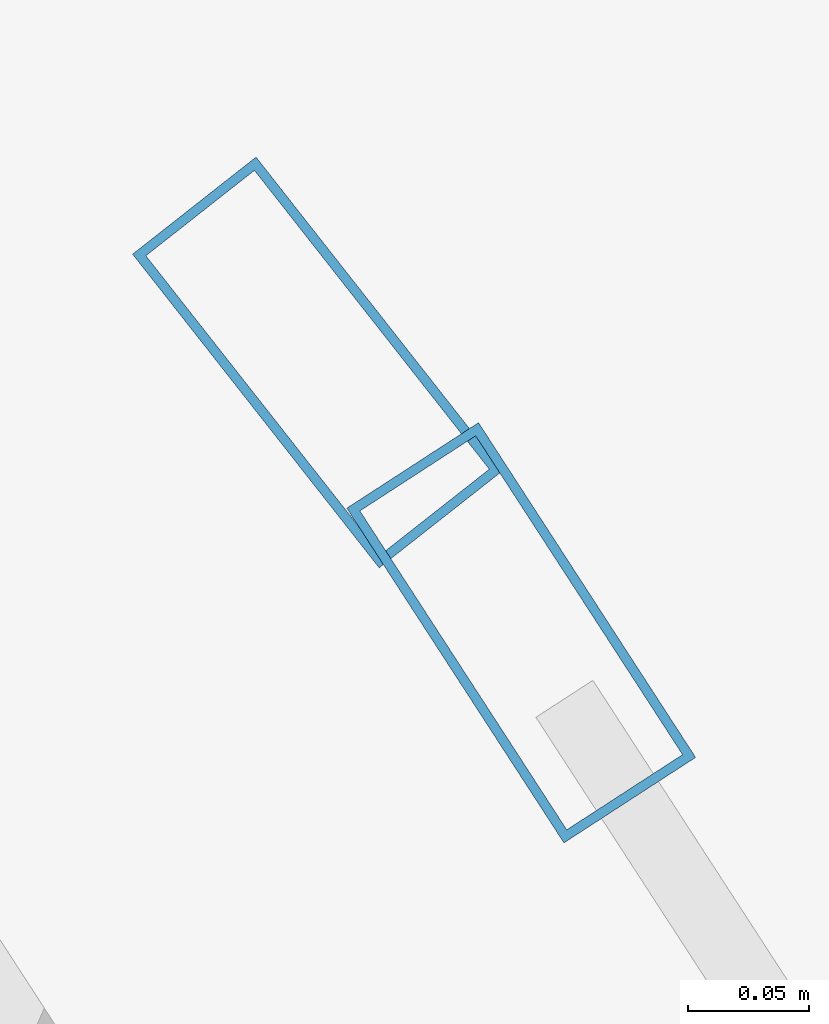
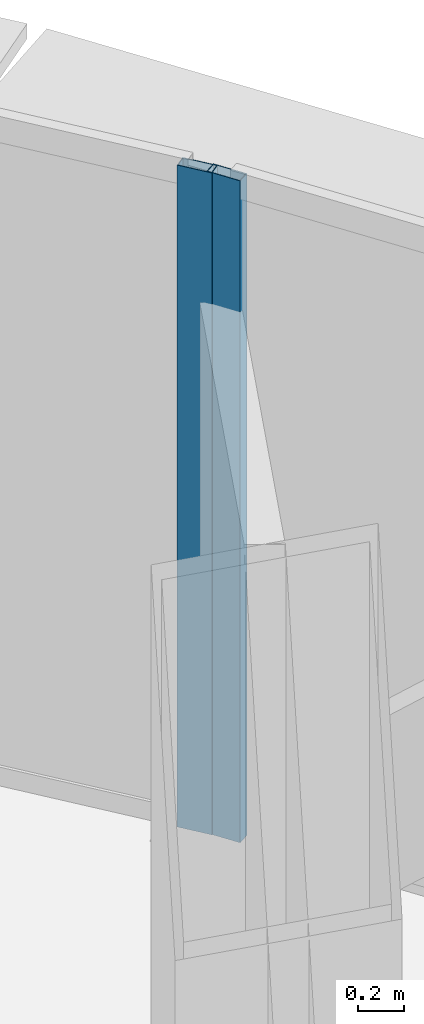
# One storey, part 18 of 38: 2 members, 2 elements without a shape of their own.
"""IFC4 building model written with IfcOpenShell, lengths in metres."""

from ifc_helpers import new_model, si_unit, direction, frame, origin, origin_2d, place, context, subcontext, project, spatial, hollow_rectangle, extrude, source, transform, mapped, material, layer, layer_set, material_profile, profile_set, type_object, element, aggregate, save


model = new_model("IFC4")

# Units and contexts
model_context = context("Model", 3, precision=1e-05, world=origin(), true_north=direction((0.0, 1.0)))
body_context = subcontext(model_context, "Body", "Model", "MODEL_VIEW")
ifc_project = project(units=[si_unit("LENGTHUNIT", "METRE"), si_unit("AREAUNIT", "SQUARE_METRE"), si_unit("VOLUMEUNIT", "CUBIC_METRE"), si_unit("PLANEANGLEUNIT", "RADIAN"), si_unit("MASSUNIT", "GRAM", prefix="KILO"), si_unit("THERMODYNAMICTEMPERATUREUNIT", "KELVIN"), si_unit("POWERUNIT", "WATT")], contexts=[model_context])

# Site, building, storey
site_placement = place(None, origin())
site = spatial("IfcSite", under=ifc_project, at=site_placement, CompositionType="ELEMENT")
building_placement = place(site_placement, origin())
building = spatial("IfcBuilding", under=site, at=building_placement, Name="Yunzhuo Pagoda Commons", CompositionType="ELEMENT")
storey_placement = place(building_placement, frame((0.0, 0.0, 81.179931640625)))
storey = spatial("IfcBuildingStorey", under=building, at=storey_placement, Name="L20", CompositionType="ELEMENT", Elevation=81.179931640625)

# Curtain wall, member
ifc_material = material(Name="Anodized aluminium 6063-T6", Category="aluminium")
ifc_layer = layer(ifc_material, 0.1650390625)
ifc_layer_set = layer_set([ifc_layer], Name="Anodized aluminium 6063-T6")
curtain_wall_type = type_object("IfcCurtainWallType", Name="CW-LOW Low-Zone Ribbon Curtain Wall", PredefinedType="NOTDEFINED", material=ifc_layer_set)
curtain_wall_1_placement = place(storey_placement, origin())
curtain_wall_1 = element("IfcCurtainWall", 1, at=curtain_wall_1_placement, inside=storey, type_object=curtain_wall_type, Name="L20 curtain wall CW-L20-F2B4", PredefinedType="NOTDEFINED")
ifc_material_profile = material_profile(ifc_material, hollow_rectangle(XDim=0.06494140625, YDim=0.1650390625, WallThickness=0.00390625, at=origin_2d()), Name="Anodized aluminium 6063-T6")
ifc_profile_set = profile_set([ifc_material_profile], Name="Anodized aluminium 6063-T6")
member_type = type_object("IfcMemberType", Name="CW-LOW-M Mullion RHS 165x65x4", PredefinedType="MULLION", material=ifc_profile_set)
shared_shape = source(origin(), body_context, "Body", "SweptSolid", [
    extrude(hollow_rectangle(XDim=0.06494140625, YDim=0.1650390625, WallThickness=0.00390625, at=origin_2d()), origin(), (0.0, 0.0, 1.0), 3.5400390625),
])
member_1_placement = place(storey_placement, frame((64.921630859375, 71.639892578125, 0.0), z_axis=(0.0, 0.0, 1.0), x_axis=(-0.838906636672, -0.544275348466, 0.0)))
member_1 = element("IfcMember", 2, at=member_1_placement, type_object=member_type, Name="CW mullion 2", PredefinedType="MULLION", context=body_context, shape_type="MappedRepresentation", body=[
    mapped(shared_shape, transform((0.0, 0.0, 0.0), scale=1.0)),
])
aggregate(curtain_wall_1, [member_1])

curtain_wall_2_placement = place(storey_placement, origin())
curtain_wall_2 = element("IfcCurtainWall", 3, at=curtain_wall_2_placement, inside=storey, type_object=curtain_wall_type, Name="L20 curtain wall CW-L20-F2B5", PredefinedType="NOTDEFINED")
member_2_placement = place(storey_placement, frame((64.83740234375, 71.751708984375, 0.0), z_axis=(0.0, 0.0, 1.0), x_axis=(-0.786130948635, -0.618059974111, 0.0)))
member_2 = element("IfcMember", 4, at=member_2_placement, type_object=member_type, Name="CW mullion 1", PredefinedType="MULLION", context=body_context, shape_type="MappedRepresentation", body=[
    mapped(shared_shape, transform((0.0, 0.0, 0.0), scale=1.0)),
])
aggregate(curtain_wall_2, [member_2])

save(model, "model.ifc")
